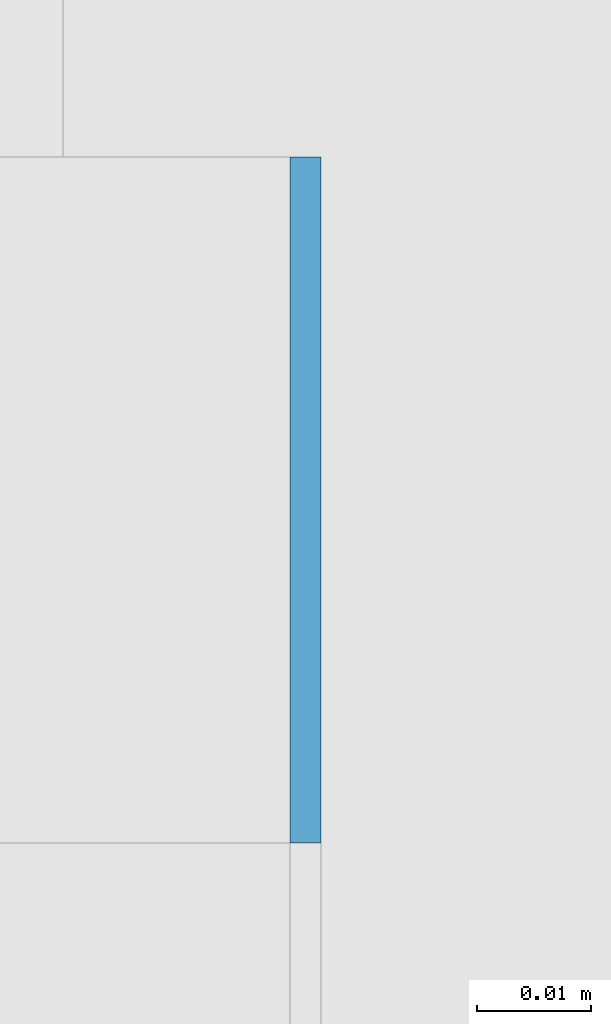
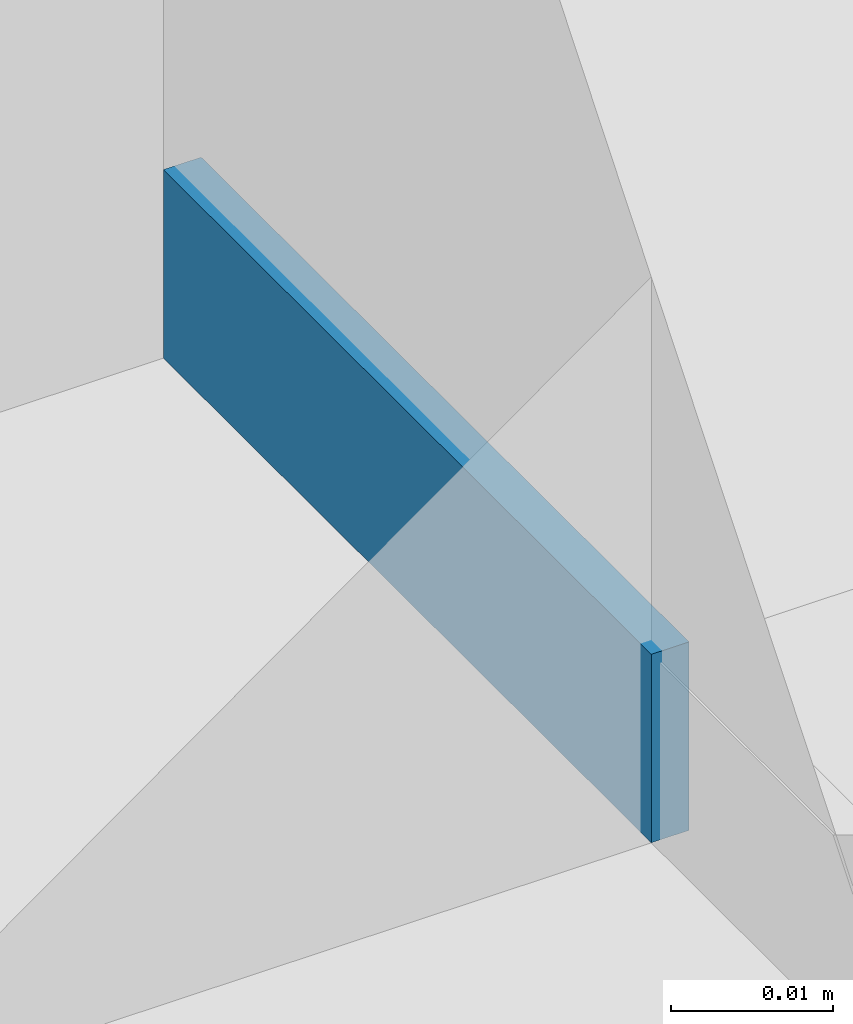
# One storey, part 382 of 646: 1 discrete accessory.
"""IFC4 building model written with IfcOpenShell, lengths in metres."""

from ifc_helpers import new_model, si_unit, direction, frame, origin, origin_2d, place, context, subcontext, project, spatial, rectangle, extrude, material, type_object, element, save


model = new_model("IFC4")

# Units and contexts
model_context = context("Model", 3, precision=1e-05, world=origin(), true_north=direction((0.0, 1.0)))
body_context = subcontext(model_context, "Body", "Model", "MODEL_VIEW")
ifc_project = project(units=[si_unit("LENGTHUNIT", "METRE"), si_unit("AREAUNIT", "SQUARE_METRE"), si_unit("VOLUMEUNIT", "CUBIC_METRE"), si_unit("PLANEANGLEUNIT", "RADIAN"), si_unit("MASSUNIT", "GRAM", prefix="KILO")], contexts=[model_context])

# Site, building, storey
site_placement = place(None, origin())
site = spatial("IfcSite", under=ifc_project, at=site_placement, CompositionType="ELEMENT")
building_placement = place(site_placement, origin())
building = spatial("IfcBuilding", under=site, at=building_placement, Name="Silverbay Arena", CompositionType="ELEMENT")
storey_placement = place(building_placement, frame((0.0, 0.0, 33.5)))
storey = spatial("IfcBuildingStorey", under=building, at=storey_placement, Name="L05", CompositionType="ELEMENT", Elevation=33.5)

# Discrete accessory
ifc_material = material(Name="Steel S355", Category="steel")
discrete_accessory_type = type_object("IfcDiscreteAccessoryType", Name="Steel bracket plate", PredefinedType="BRACKET", material=ifc_material)
discrete_accessory_placement = place(storey_placement, frame((53.871337890625, 108.030029296875, 4.0), z_axis=(0.0, 0.0, 1.0), x_axis=(1.0, 0.0, 0.0)))
element("IfcDiscreteAccessory", 1, at=discrete_accessory_placement, inside=storey, type_object=discrete_accessory_type, Name="Curtain wall packing plate", PredefinedType="BRACKET", context=body_context, shape_type="SweptSolid", body=[
    extrude(rectangle(XDim=0.002685546875, YDim=0.06005859375, at=origin_2d()), origin(), (0.0, 0.0, 1.0), 0.01416015625),
])

save(model, "model.ifc")
